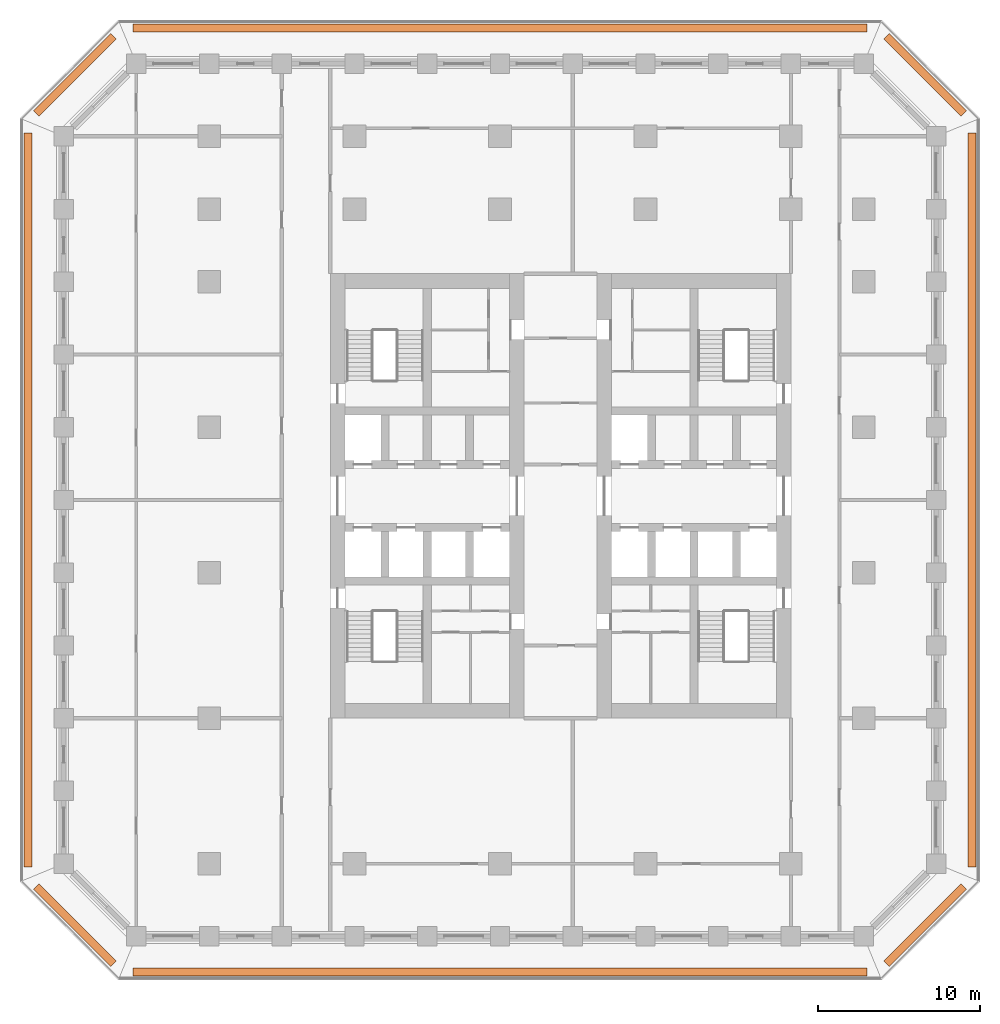
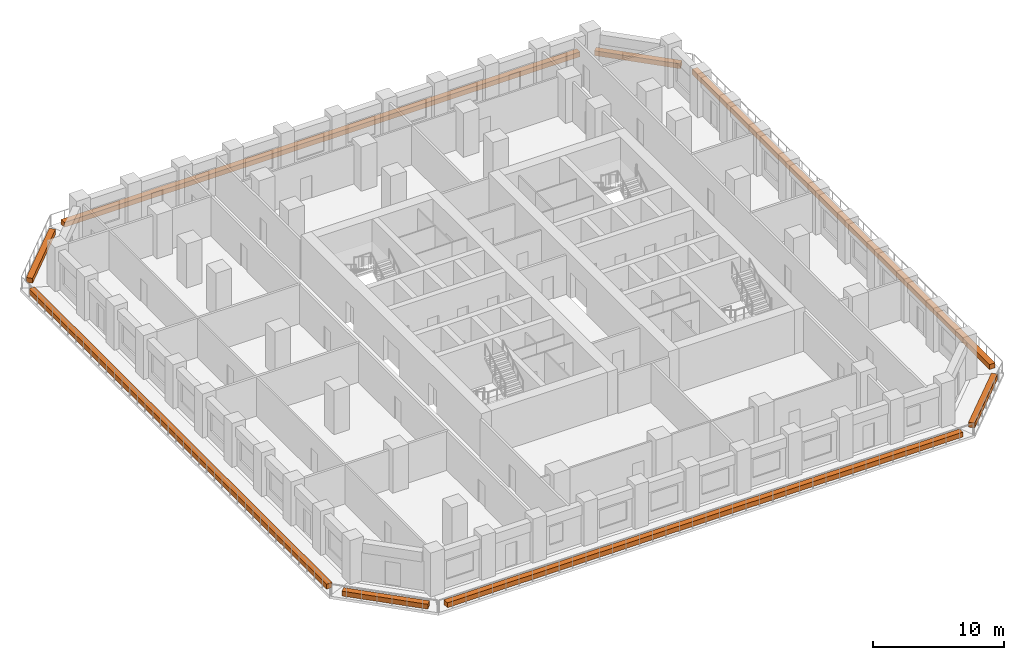
# One storey, part 16 of 16: 8 proxies.
"""IFC4 building model written with IfcOpenShell, lengths in metres."""

from ifc_helpers import new_model, si_unit, direction, frame, origin, origin_2d, place, context, subcontext, project, spatial, rectangle, extrude, material, type_object, element, save


model = new_model("IFC4")

# Units and contexts
model_context = context("Model", 3, precision=1e-05, world=origin(), true_north=direction((0.0, 1.0)))
body_context = subcontext(model_context, "Body", "Model", "MODEL_VIEW")
ifc_project = project(units=[si_unit("LENGTHUNIT", "METRE"), si_unit("AREAUNIT", "SQUARE_METRE"), si_unit("VOLUMEUNIT", "CUBIC_METRE"), si_unit("PLANEANGLEUNIT", "RADIAN"), si_unit("MASSUNIT", "GRAM", prefix="KILO")], contexts=[model_context])

# Site, building, storey
site_placement = place(None, origin())
site = spatial("IfcSite", under=ifc_project, at=site_placement, CompositionType="ELEMENT")
building_placement = place(site_placement, origin())
building = spatial("IfcBuilding", under=site, at=building_placement, Name="Corbel Stack Research Tower", CompositionType="ELEMENT")
storey_placement = place(building_placement, frame((0.0, 0.0, 137.199951171875)))
storey = spatial("IfcBuildingStorey", under=building, at=storey_placement, Name="L31", CompositionType="ELEMENT", Elevation=137.199951171875)

# Proxies
ifc_material = material(Name="Concrete C45/55", Category="concrete")
building_element_proxy_type = type_object("IfcBuildingElementProxyType", Name="Planter box", PredefinedType="USERDEFINED", material=ifc_material)
proxy_1_placement = place(storey_placement, frame((0.0, -24.699951171875, 0.0), z_axis=(0.0, 0.0, 1.0), x_axis=(1.0, 0.0, 0.0)))
element("IfcBuildingElementProxy", 1, at=proxy_1_placement, inside=storey, type_object=building_element_proxy_type, Name="Planter L31 S", ObjectType="PLANTER", PredefinedType="USERDEFINED", context=body_context, shape_type="SweptSolid", body=[
    extrude(rectangle(XDim=45.41064453125, YDim=0.5, at=origin_2d()), origin(), (0.0, 0.0, 1.0), 0.449951171875),
])
proxy_2_placement = place(storey_placement, frame((26.3056640625, -21.8056640625, 0.0), z_axis=(0.0, 0.0, 1.0), x_axis=(0.707106781187, 0.707106781187, 0.0)))
element("IfcBuildingElementProxy", 2, at=proxy_2_placement, inside=storey, type_object=building_element_proxy_type, Name="Planter L31 SE", ObjectType="PLANTER", PredefinedType="USERDEFINED", context=body_context, shape_type="SweptSolid", body=[
    extrude(rectangle(XDim=6.774658203125, YDim=0.5, at=origin_2d()), origin(), (0.0, 0.0, 1.0), 0.449951171875),
])
proxy_3_placement = place(storey_placement, frame((29.199951171875, 4.5, 0.0), z_axis=(0.0, 0.0, 1.0), x_axis=(0.0, 1.0, 0.0)))
element("IfcBuildingElementProxy", 3, at=proxy_3_placement, inside=storey, type_object=building_element_proxy_type, Name="Planter L31 E", ObjectType="PLANTER", PredefinedType="USERDEFINED", context=body_context, shape_type="SweptSolid", body=[
    extrude(rectangle(XDim=45.41064453125, YDim=0.5, at=origin_2d()), origin(), (0.0, 0.0, 1.0), 0.449951171875),
])
proxy_4_placement = place(storey_placement, frame((26.3056640625, 30.8056640625, 0.0), z_axis=(0.0, 0.0, 1.0), x_axis=(-0.707106781187, 0.707106781187, 0.0)))
element("IfcBuildingElementProxy", 4, at=proxy_4_placement, inside=storey, type_object=building_element_proxy_type, Name="Planter L31 NE", ObjectType="PLANTER", PredefinedType="USERDEFINED", context=body_context, shape_type="SweptSolid", body=[
    extrude(rectangle(XDim=6.774658203125, YDim=0.5, at=origin_2d()), origin(), (0.0, 0.0, 1.0), 0.449951171875),
])
proxy_5_placement = place(storey_placement, frame((0.0, 33.699951171875, 0.0), z_axis=(0.0, 0.0, 1.0), x_axis=(-1.0, 0.0, 0.0)))
element("IfcBuildingElementProxy", 5, at=proxy_5_placement, inside=storey, type_object=building_element_proxy_type, Name="Planter L31 N", ObjectType="PLANTER", PredefinedType="USERDEFINED", context=body_context, shape_type="SweptSolid", body=[
    extrude(rectangle(XDim=45.41064453125, YDim=0.5, at=origin_2d()), origin(), (0.0, 0.0, 1.0), 0.449951171875),
])
proxy_6_placement = place(storey_placement, frame((-26.3056640625, 30.8056640625, 0.0), z_axis=(0.0, 0.0, 1.0), x_axis=(-0.707106781187, -0.707106781187, 0.0)))
element("IfcBuildingElementProxy", 6, at=proxy_6_placement, inside=storey, type_object=building_element_proxy_type, Name="Planter L31 NW", ObjectType="PLANTER", PredefinedType="USERDEFINED", context=body_context, shape_type="SweptSolid", body=[
    extrude(rectangle(XDim=6.774658203125, YDim=0.5, at=origin_2d()), origin(), (0.0, 0.0, 1.0), 0.449951171875),
])
proxy_7_placement = place(storey_placement, frame((-29.199951171875, 4.5, 0.0), z_axis=(0.0, 0.0, 1.0), x_axis=(0.0, -1.0, 0.0)))
element("IfcBuildingElementProxy", 7, at=proxy_7_placement, inside=storey, type_object=building_element_proxy_type, Name="Planter L31 W", ObjectType="PLANTER", PredefinedType="USERDEFINED", context=body_context, shape_type="SweptSolid", body=[
    extrude(rectangle(XDim=45.41064453125, YDim=0.5, at=origin_2d()), origin(), (0.0, 0.0, 1.0), 0.449951171875),
])
proxy_8_placement = place(storey_placement, frame((-26.3056640625, -21.8056640625, 0.0), z_axis=(0.0, 0.0, 1.0), x_axis=(0.707106781187, -0.707106781187, 0.0)))
element("IfcBuildingElementProxy", 8, at=proxy_8_placement, inside=storey, type_object=building_element_proxy_type, Name="Planter L31 SW", ObjectType="PLANTER", PredefinedType="USERDEFINED", context=body_context, shape_type="SweptSolid", body=[
    extrude(rectangle(XDim=6.774658203125, YDim=0.5, at=origin_2d()), origin(), (0.0, 0.0, 1.0), 0.449951171875),
])

save(model, "model.ifc")
